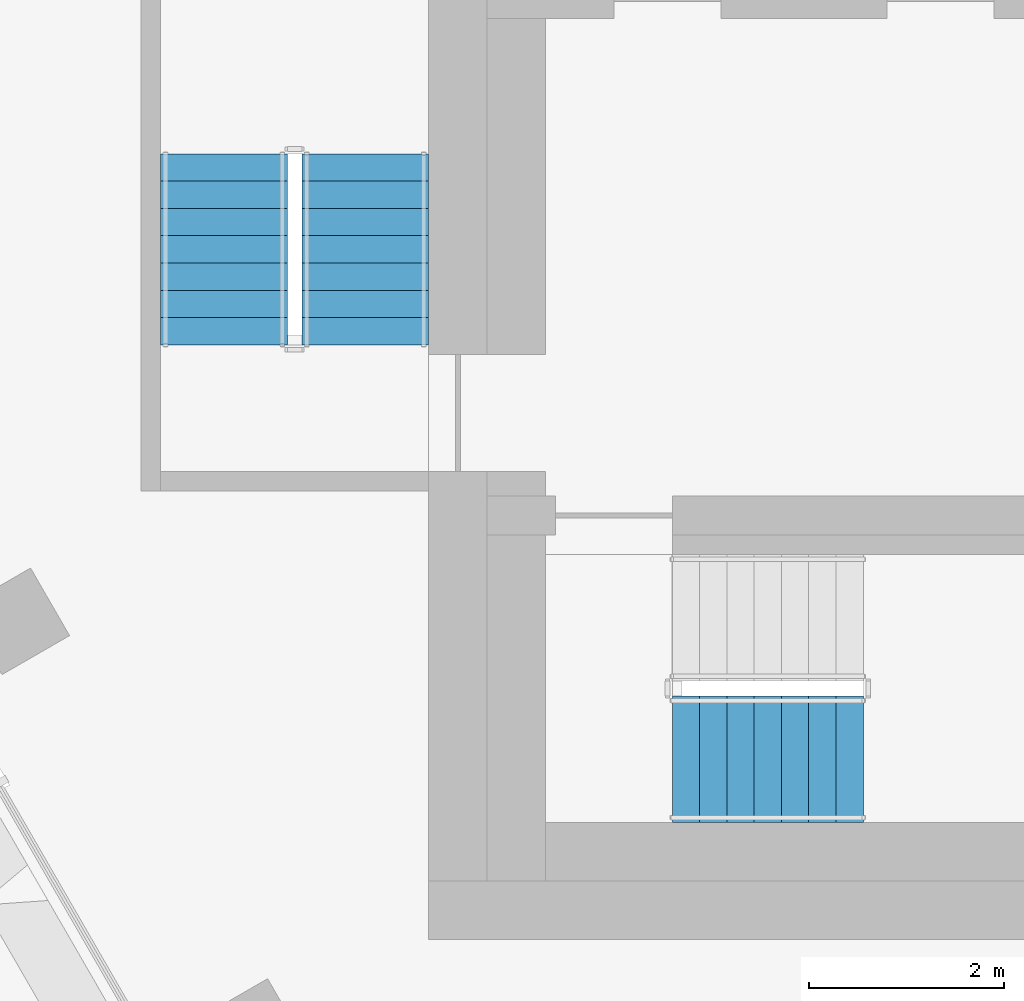
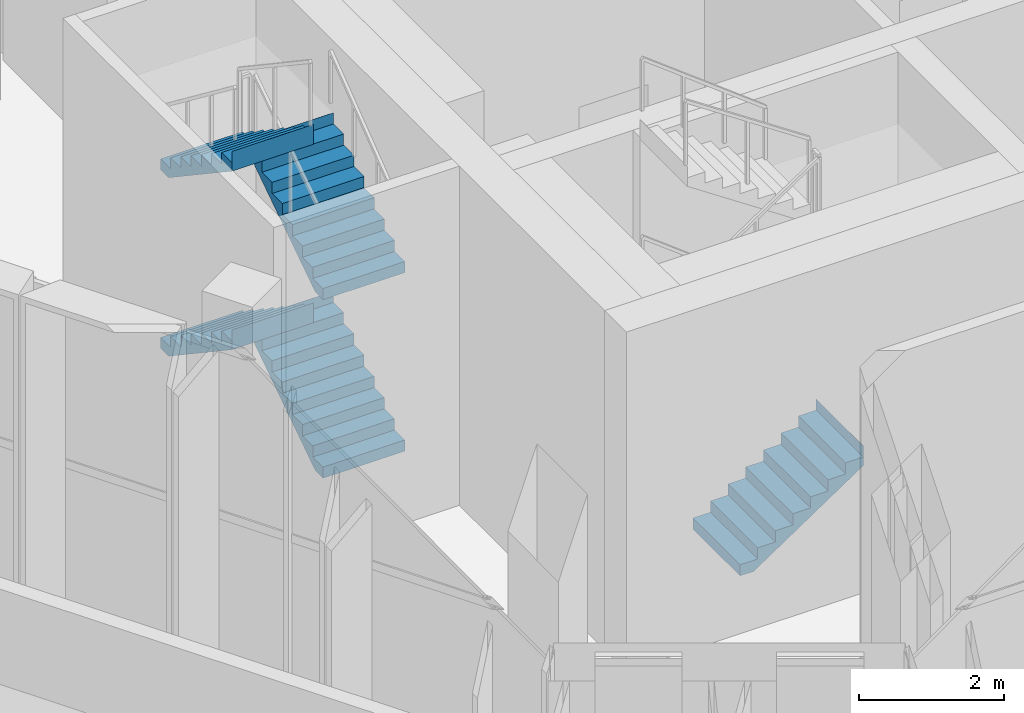
# One storey, part 15 of 23: 5 stair flights, 2 elements without a shape of their own.
"""IFC4 building model written with IfcOpenShell, lengths in metres."""

import ifcopenshell
import ifcopenshell.guid

model = None  # the IFC model being written
_history = None  # IfcOwnerHistory: only IFC2X3 demands one
_inside = {}  # id of a spatial element -> (the spatial element, [elements in it])
_under = {}  # id of a project, library or spatial element -> (it, [spatial elements below it])
_declared = {}  # id of a project -> (the project, [libraries it declares])
_typed = {}  # id of a type object -> (the type object, [elements of that type])
_made_of = {}  # id of a material, layer set ... -> (it, [elements and type objects made of it])


def new_model(schema):
    """Start an empty IFC model of exactly this schema.

    Asked for "IFC4X3", IfcOpenShell would pick the latest addendum, in which some entities
    have other attributes; the version numbers below select the first issue.
    IFC2X3 requires an IfcOwnerHistory on every rooted entity: one is made here for all.
    """
    global model, _history
    if schema == "IFC4X3":
        model = ifcopenshell.file(schema_version=(4, 3, 0, 0))
    else:
        model = ifcopenshell.file(schema=schema)
    _inside.clear()
    _under.clear()
    _declared.clear()
    _typed.clear()
    _made_of.clear()
    _history = None
    if model.schema == "IFC2X3":
        org = make("IfcOrganization", Name="unknown")
        user = make(
            "IfcPersonAndOrganization",
            ThePerson=make("IfcPerson", FamilyName="unknown"),
            TheOrganization=org,
        )
        app = make(
            "IfcApplication",
            ApplicationDeveloper=org,
            Version="unknown",
            ApplicationFullName="unknown",
            ApplicationIdentifier="unknown",
        )
        _history = make(
            "IfcOwnerHistory",
            OwningUser=user,
            OwningApplication=app,
            ChangeAction="ADDED",
            CreationDate=0,
        )
    return model


def make(cls, **values):
    """One entity of the class cls with the attributes given. An attribute that is None is left unset."""
    return model.create_entity(
        cls, **{name: value for name, value in values.items() if value is not None}
    )


def rooted(cls, **values):
    """An entity with a GlobalId (a new one), such as an element, a storey or a relation."""
    return make(cls, GlobalId=ifcopenshell.guid.new(), OwnerHistory=_history, **values)


def si_unit(unit_type, name, prefix=None):
    """IfcSIUnit, for example si_unit("LENGTHUNIT", "METRE", prefix="MILLI")."""
    return make("IfcSIUnit", UnitType=unit_type, Prefix=prefix, Name=name)


def assignment(units):
    """IfcUnitAssignment: the units of a project."""
    return None if units is None else make("IfcUnitAssignment", Units=units)


def point(xyz):
    """IfcCartesianPoint."""
    return None if xyz is None else make("IfcCartesianPoint", Coordinates=xyz)


def direction(xyz):
    """IfcDirection."""
    return None if xyz is None else make("IfcDirection", DirectionRatios=xyz)


def frame(location, z_axis=None, x_axis=None):
    """IfcAxis2Placement3D, a coordinate frame: its origin and axes. An axis left out is left unset."""
    return make(
        "IfcAxis2Placement3D",
        Location=point(location),
        Axis=direction(z_axis),
        RefDirection=direction(x_axis),
    )


def origin():
    """The frame at (0, 0, 0) with its axes left unset."""
    return frame((0.0, 0.0, 0.0))


def place(relative_to, where):
    """IfcLocalPlacement: puts the frame where relative to a parent placement (None: the world)."""
    return make(
        "IfcLocalPlacement", PlacementRelTo=relative_to, RelativePlacement=where
    )


def context(
    kind, dimensions, precision=None, world=None, true_north=None, identifier=None
):
    """IfcGeometricRepresentationContext, for example the 3D "Model" context."""
    return make(
        "IfcGeometricRepresentationContext",
        ContextIdentifier=identifier,
        ContextType=kind,
        CoordinateSpaceDimension=dimensions,
        Precision=precision,
        WorldCoordinateSystem=world,
        TrueNorth=true_north,
    )


def subcontext(parent, identifier, kind, view, scale=None):
    """IfcGeometricRepresentationSubContext, for example "Body" below "Model"."""
    return make(
        "IfcGeometricRepresentationSubContext",
        ContextIdentifier=identifier,
        ContextType=kind,
        ParentContext=parent,
        TargetScale=scale,
        TargetView=view,
    )


def project(units=None, contexts=None):
    """IfcProject with its units and contexts."""
    return rooted(
        "IfcProject",
        Name="project",
        RepresentationContexts=contexts,
        UnitsInContext=assignment(units),
    )


def spatial(cls, under=None, at=None, **own):
    """A site, building, storey or space (cls), placed at a placement, below another one or the project."""
    s = rooted(cls, ObjectPlacement=at, **own)
    if under is not None:
        _under.setdefault(under.id(), (under, []))[1].append(s)
    return s


def point_list(points):
    """IfcCartesianPointList2D or 3D."""
    cls = (
        "IfcCartesianPointList2D" if len(points[0]) == 2 else "IfcCartesianPointList3D"
    )
    return make(cls, CoordList=points)


def triangles(points, corners, closed=None, point_numbers=None):
    """IfcTriangulatedFaceSet: each triangle names its three corners, points numbered from 1."""
    return make(
        "IfcTriangulatedFaceSet",
        Coordinates=point_list(points),
        Closed=closed,
        CoordIndex=corners,
        PnIndex=point_numbers,
    )


def shape(context_of_items, identifier, shape_type, items):
    """IfcShapeRepresentation: the items that make up one representation, for example the "Body"."""
    return make(
        "IfcShapeRepresentation",
        ContextOfItems=context_of_items,
        RepresentationIdentifier=identifier,
        RepresentationType=shape_type,
        Items=items,
    )


def material(Name=None, Category=None):
    """IfcMaterial."""
    return make("IfcMaterial", Name=Name, Category=Category)


def made_of(thing, what):
    """Note that an element or type object is made of a material, layer set ...; save() writes the relation."""
    if what is not None:
        _made_of.setdefault(what.id(), (what, []))[1].append(thing)
    return thing


def type_object(cls, material=None, **own):
    """A type object (cls), such as IfcWallType, which elements share."""
    return made_of(rooted(cls, **own), material)


def element(
    cls,
    number,
    at=None,
    inside=None,
    cuts=None,
    type_object=None,
    material=None,
    context=None,
    identifier="Body",
    shape_type=None,
    held_by="IfcProductDefinitionShape",
    body=None,
    shapes=None,
    **own,
):
    """One element of the class cls, such as IfcWall. Its Tag is "e" and its number.

    at: its placement. inside: the storey or other place that contains it. cuts: it is an
    opening in that element (IfcRelVoidsElement). A single representation is given by context,
    identifier, shape_type and body (its items); several are given by shapes. held_by: the class
    of the entity that holds the representations. save() writes the other relations.
    """
    e = rooted(cls, Tag="e%d" % number, ObjectPlacement=at, **own)
    if body is not None:
        shapes = [shape(context, identifier, shape_type, body)]
    if shapes is not None:
        e.Representation = make(held_by, Representations=shapes)
    if inside is not None:
        _inside.setdefault(inside.id(), (inside, []))[1].append(e)
    if cuts is not None:
        rooted(
            "IfcRelVoidsElement", RelatingBuildingElement=cuts, RelatedOpeningElement=e
        )
    if type_object is not None:
        _typed.setdefault(type_object.id(), (type_object, []))[1].append(e)
    return made_of(e, material)


def aggregate(whole, parts):
    """IfcRelAggregates: a whole, such as a stair, and the parts it consists of."""
    return rooted("IfcRelAggregates", RelatingObject=whole, RelatedObjects=parts)


def save(model, path):
    """Write the relations noted so far, then the file.

    IfcRelAggregates (storeys below a building ...), IfcRelContainedInSpatialStructure (elements
    in a storey), IfcRelDefinesByType, IfcRelAssociatesMaterial and IfcRelDeclares: one each for
    every whole, place, type object, material and project.
    """
    for whole, parts in _under.values():
        aggregate(whole, parts)
    for where, things in _inside.values():
        rooted(
            "IfcRelContainedInSpatialStructure",
            RelatedElements=things,
            RelatingStructure=where,
        )
    for kind, things in _typed.values():
        rooted("IfcRelDefinesByType", RelatedObjects=things, RelatingType=kind)
    for what, things in _made_of.values():
        rooted("IfcRelAssociatesMaterial", RelatedObjects=things, RelatingMaterial=what)
    for by, libraries in _declared.values():
        rooted("IfcRelDeclares", RelatingContext=by, RelatedDefinitions=libraries)
    model.write(path)


model = new_model("IFC4")

# Units and contexts
model_context = context("Model", 3, precision=1e-05, world=origin(), true_north=direction((0.0, 1.0)))
body_context = subcontext(model_context, "Body", "Model", "MODEL_VIEW")
ifc_project = project(units=[si_unit("LENGTHUNIT", "METRE"), si_unit("AREAUNIT", "SQUARE_METRE"), si_unit("VOLUMEUNIT", "CUBIC_METRE"), si_unit("PLANEANGLEUNIT", "RADIAN"), si_unit("MASSUNIT", "GRAM", prefix="KILO")], contexts=[model_context])

# Site, building, storey
site_placement = place(None, origin())
site = spatial("IfcSite", under=ifc_project, at=site_placement, CompositionType="ELEMENT")
building_placement = place(site_placement, origin())
building = spatial("IfcBuilding", under=site, at=building_placement, Name="Beryl Residences", CompositionType="ELEMENT")
storey_placement = place(building_placement, frame((0.0, 0.0, 157.199951171875)))
storey = spatial("IfcBuildingStorey", under=building, at=storey_placement, Name="L48", CompositionType="ELEMENT", Elevation=157.199951171875)

# Stair, stair flight
ifc_material_1 = material(Name="Concrete C40/50", Category="concrete")
stair_type = type_object("IfcStairType", Name="ST1 protected exit stair, half-turn, 1300 mm flights", PredefinedType="HALF_TURN_STAIR", material=ifc_material_1)
stair_1_placement = place(storey_placement, origin())
stair_1 = element("IfcStair", 1, at=stair_1_placement, inside=storey, type_object=stair_type, Name="L48 PROTECTED EXIT STAIR ST-1", PredefinedType="HALF_TURN_STAIR")
ifc_material_2 = material(Name="Concrete C40/50", Category="concrete")
stair_flight_type = type_object("IfcStairFlightType", Name="SF1 stair flight 1300 mm", PredefinedType="STRAIGHT", material=ifc_material_2)
stair_flight_1_placement = place(storey_placement, frame((-10.800048828125, -17.14990234375, 0.0), z_axis=(0.0, 0.0, 1.0), x_axis=(1.0, 0.0, 0.0)))
stair_flight_1 = element("IfcStairFlight", 2, at=stair_flight_1_placement, type_object=stair_flight_type, Name="ST-1 flight 1", NumberOfRisers=8, NumberOfTreads=7, PredefinedType="STRAIGHT", RiserHeight=0.1875, TreadLength=0.28, context=body_context, shape_type="Tessellation", body=[
    triangles([(0.0, -0.64990234375, 0.0), (0.0, -0.324951171875, 0.0), (0.0, 0.0, 0.0), (0.0, 0.324951171875, 0.0), (0.0, 0.64990234375, 0.0), (0.0, -0.64990234375, 0.1875), (0.0, -0.324951171875, 0.1875), (0.0, 0.0, 0.1875), (0.0, 0.324951171875, 0.1875), (0.0, 0.64990234375, 0.1875), (0.280029296875, -0.64990234375, 0.1875), (0.280029296875, -0.324951171875, 0.1875), (0.280029296875, 0.0, 0.1875), (0.280029296875, 0.324951171875, 0.1875), (0.280029296875, 0.64990234375, 0.1875), (0.280029296875, -0.64990234375, 0.375), (0.280029296875, -0.324951171875, 0.375), (0.280029296875, 0.0, 0.375), (0.280029296875, 0.324951171875, 0.375), (0.280029296875, 0.64990234375, 0.375), (0.56005859375, -0.64990234375, 0.375), (0.56005859375, -0.324951171875, 0.375), (0.56005859375, 0.0, 0.375), (0.56005859375, 0.324951171875, 0.375), (0.56005859375, 0.64990234375, 0.375), (0.56005859375, -0.64990234375, 0.5625), (0.56005859375, -0.324951171875, 0.5625), (0.56005859375, 0.0, 0.5625), (0.56005859375, 0.324951171875, 0.5625), (0.56005859375, 0.64990234375, 0.5625), (0.840087890625, -0.64990234375, 0.5625), (0.840087890625, -0.324951171875, 0.5625), (0.840087890625, 0.0, 0.5625), (0.840087890625, 0.324951171875, 0.5625), (0.840087890625, 0.64990234375, 0.5625), (0.840087890625, -0.64990234375, 0.75), (0.840087890625, -0.324951171875, 0.75), (0.840087890625, 0.0, 0.75), (0.840087890625, 0.324951171875, 0.75), (0.840087890625, 0.64990234375, 0.75), (1.1201171875, -0.64990234375, 0.75), (1.1201171875, -0.324951171875, 0.75), (1.1201171875, 0.0, 0.75), (1.1201171875, 0.324951171875, 0.75), (1.1201171875, 0.64990234375, 0.75), (1.1201171875, -0.64990234375, 0.9375), (1.1201171875, -0.324951171875, 0.9375), (1.1201171875, 0.0, 0.9375), (1.1201171875, 0.324951171875, 0.9375), (1.1201171875, 0.64990234375, 0.9375), (1.39990234375, -0.64990234375, 0.9375), (1.39990234375, -0.324951171875, 0.9375), (1.39990234375, 0.0, 0.9375), (1.39990234375, 0.324951171875, 0.9375), (1.39990234375, 0.64990234375, 0.9375), (1.39990234375, -0.64990234375, 1.125), (1.39990234375, -0.324951171875, 1.125), (1.39990234375, 0.0, 1.125), (1.39990234375, 0.324951171875, 1.125), (1.39990234375, 0.64990234375, 1.125), (1.679931640625, -0.64990234375, 1.125), (1.679931640625, -0.324951171875, 1.125), (1.679931640625, 0.0, 1.125), (1.679931640625, 0.324951171875, 1.125), (1.679931640625, 0.64990234375, 1.125), (1.679931640625, -0.64990234375, 1.3125), (1.679931640625, -0.324951171875, 1.3125), (1.679931640625, 0.0, 1.3125), (1.679931640625, 0.324951171875, 1.3125), (1.679931640625, 0.64990234375, 1.3125), (1.9599609375, -0.64990234375, 1.3125), (1.9599609375, -0.324951171875, 1.3125), (1.9599609375, 0.0, 1.3125), (1.9599609375, 0.324951171875, 1.3125), (1.9599609375, 0.64990234375, 1.3125), (1.9599609375, -0.64990234375, 1.5), (1.9599609375, -0.324951171875, 1.5), (1.9599609375, 0.0, 1.5), (1.9599609375, 0.324951171875, 1.5), (1.9599609375, 0.64990234375, 1.5), (1.9609375, -0.64990234375, 1.5), (1.9609375, -0.324951171875, 1.5), (1.9609375, 0.0, 1.5), (1.9609375, 0.324951171875, 1.5), (1.9609375, 0.64990234375, 1.5), (1.9609375, -0.64990234375, 1.16796875), (1.9609375, -0.324951171875, 1.16796875), (1.9609375, 0.0, 1.16796875), (1.9609375, 0.324951171875, 1.16796875), (1.9609375, 0.64990234375, 1.16796875), (0.216796875, -0.64990234375, 0.0), (0.216796875, -0.324951171875, 0.0), (0.216796875, 0.0, 0.0), (0.216796875, 0.324951171875, 0.0), (0.216796875, 0.64990234375, 0.0)], [[1, 6, 7], [1, 7, 2], [2, 7, 8], [2, 8, 3], [3, 8, 9], [3, 9, 4], [4, 9, 10], [4, 10, 5], [6, 11, 12], [6, 12, 7], [7, 12, 13], [7, 13, 8], [8, 13, 14], [8, 14, 9], [9, 14, 15], [9, 15, 10], [11, 16, 17], [11, 17, 12], [12, 17, 18], [12, 18, 13], [13, 18, 19], [13, 19, 14], [14, 19, 20], [14, 20, 15], [16, 21, 22], [16, 22, 17], [17, 22, 23], [17, 23, 18], [18, 23, 24], [18, 24, 19], [19, 24, 25], [19, 25, 20], [21, 26, 27], [21, 27, 22], [22, 27, 28], [22, 28, 23], [23, 28, 29], [23, 29, 24], [24, 29, 30], [24, 30, 25], [26, 31, 32], [26, 32, 27], [27, 32, 33], [27, 33, 28], [28, 33, 34], [28, 34, 29], [29, 34, 35], [29, 35, 30], [31, 36, 37], [31, 37, 32], [32, 37, 38], [32, 38, 33], [33, 38, 39], [33, 39, 34], [34, 39, 40], [34, 40, 35], [36, 41, 42], [36, 42, 37], [37, 42, 43], [37, 43, 38], [38, 43, 44], [38, 44, 39], [39, 44, 45], [39, 45, 40], [41, 46, 47], [41, 47, 42], [42, 47, 48], [42, 48, 43], [43, 48, 49], [43, 49, 44], [44, 49, 50], [44, 50, 45], [46, 51, 52], [46, 52, 47], [47, 52, 53], [47, 53, 48], [48, 53, 54], [48, 54, 49], [49, 54, 55], [49, 55, 50], [51, 56, 57], [51, 57, 52], [52, 57, 58], [52, 58, 53], [53, 58, 59], [53, 59, 54], [54, 59, 60], [54, 60, 55], [56, 61, 62], [56, 62, 57], [57, 62, 63], [57, 63, 58], [58, 63, 64], [58, 64, 59], [59, 64, 65], [59, 65, 60], [61, 66, 67], [61, 67, 62], [62, 67, 68], [62, 68, 63], [63, 68, 69], [63, 69, 64], [64, 69, 70], [64, 70, 65], [66, 71, 72], [66, 72, 67], [67, 72, 73], [67, 73, 68], [68, 73, 74], [68, 74, 69], [69, 74, 75], [69, 75, 70], [71, 76, 77], [71, 77, 72], [72, 77, 78], [72, 78, 73], [73, 78, 79], [73, 79, 74], [74, 79, 80], [74, 80, 75], [76, 81, 82], [76, 82, 77], [77, 82, 83], [77, 83, 78], [78, 83, 84], [78, 84, 79], [79, 84, 85], [79, 85, 80], [81, 86, 87], [81, 87, 82], [82, 87, 88], [82, 88, 83], [83, 88, 89], [83, 89, 84], [84, 89, 90], [84, 90, 85], [86, 91, 92], [86, 92, 87], [87, 92, 93], [87, 93, 88], [88, 93, 94], [88, 94, 89], [89, 94, 95], [89, 95, 90], [91, 1, 2], [91, 2, 92], [92, 2, 3], [92, 3, 93], [93, 3, 4], [93, 4, 94], [94, 4, 5], [94, 5, 95], [1, 91, 86], [5, 90, 95], [86, 81, 76], [90, 80, 85], [86, 76, 71], [90, 75, 80], [86, 71, 66], [90, 70, 75], [86, 66, 61], [90, 65, 70], [61, 56, 51], [65, 55, 60], [86, 61, 51], [90, 55, 65], [51, 46, 41], [55, 45, 50], [86, 51, 41], [90, 45, 55], [41, 36, 31], [45, 35, 40], [86, 41, 31], [90, 35, 45], [31, 26, 21], [35, 25, 30], [86, 31, 21], [90, 25, 35], [21, 16, 11], [25, 15, 20], [86, 21, 11], [90, 15, 25], [1, 86, 11], [5, 15, 90], [11, 6, 1], [15, 5, 10]], closed=True),
])
aggregate(stair_1, [stair_flight_1])

# Stair, stair flights
stair_2_placement = place(storey_placement, origin())
stair_2 = element("IfcStair", 3, at=stair_2_placement, inside=storey, type_object=stair_type, Name="L48 PROTECTED EXIT STAIR ST-2", PredefinedType="HALF_TURN_STAIR")
stair_flight_2_placement = place(storey_placement, frame((-13.949951171875, -12.89990234375, 0.0), z_axis=(0.0, 0.0, 1.0), x_axis=(0.0, 1.0, 0.0)))
stair_flight_2 = element("IfcStairFlight", 4, at=stair_flight_2_placement, type_object=stair_flight_type, Name="ST-2 flight 1", NumberOfRisers=8, NumberOfTreads=7, PredefinedType="STRAIGHT", RiserHeight=0.1875, TreadLength=0.28, context=body_context, shape_type="Tessellation", body=[
    triangles([(0.0, -0.64990234375, 0.0), (0.0, -0.324951171875, 0.0), (0.0, 0.0, 0.0), (0.0, 0.324951171875, 0.0), (0.0, 0.64990234375, 0.0), (0.0, -0.64990234375, 0.1875), (0.0, -0.324951171875, 0.1875), (0.0, 0.0, 0.1875), (0.0, 0.324951171875, 0.1875), (0.0, 0.64990234375, 0.1875), (0.280029296875, -0.64990234375, 0.1875), (0.280029296875, -0.324951171875, 0.1875), (0.280029296875, 0.0, 0.1875), (0.280029296875, 0.324951171875, 0.1875), (0.280029296875, 0.64990234375, 0.1875), (0.280029296875, -0.64990234375, 0.375), (0.280029296875, -0.324951171875, 0.375), (0.280029296875, 0.0, 0.375), (0.280029296875, 0.324951171875, 0.375), (0.280029296875, 0.64990234375, 0.375), (0.56005859375, -0.64990234375, 0.375), (0.56005859375, -0.324951171875, 0.375), (0.56005859375, 0.0, 0.375), (0.56005859375, 0.324951171875, 0.375), (0.56005859375, 0.64990234375, 0.375), (0.56005859375, -0.64990234375, 0.5625), (0.56005859375, -0.324951171875, 0.5625), (0.56005859375, 0.0, 0.5625), (0.56005859375, 0.324951171875, 0.5625), (0.56005859375, 0.64990234375, 0.5625), (0.840087890625, -0.64990234375, 0.5625), (0.840087890625, -0.324951171875, 0.5625), (0.840087890625, 0.0, 0.5625), (0.840087890625, 0.324951171875, 0.5625), (0.840087890625, 0.64990234375, 0.5625), (0.840087890625, -0.64990234375, 0.75), (0.840087890625, -0.324951171875, 0.75), (0.840087890625, 0.0, 0.75), (0.840087890625, 0.324951171875, 0.75), (0.840087890625, 0.64990234375, 0.75), (1.1201171875, -0.64990234375, 0.75), (1.1201171875, -0.324951171875, 0.75), (1.1201171875, 0.0, 0.75), (1.1201171875, 0.324951171875, 0.75), (1.1201171875, 0.64990234375, 0.75), (1.1201171875, -0.64990234375, 0.9375), (1.1201171875, -0.324951171875, 0.9375), (1.1201171875, 0.0, 0.9375), (1.1201171875, 0.324951171875, 0.9375), (1.1201171875, 0.64990234375, 0.9375), (1.39990234375, -0.64990234375, 0.9375), (1.39990234375, -0.324951171875, 0.9375), (1.39990234375, 0.0, 0.9375), (1.39990234375, 0.324951171875, 0.9375), (1.39990234375, 0.64990234375, 0.9375), (1.39990234375, -0.64990234375, 1.125), (1.39990234375, -0.324951171875, 1.125), (1.39990234375, 0.0, 1.125), (1.39990234375, 0.324951171875, 1.125), (1.39990234375, 0.64990234375, 1.125), (1.679931640625, -0.64990234375, 1.125), (1.679931640625, -0.324951171875, 1.125), (1.679931640625, 0.0, 1.125), (1.679931640625, 0.324951171875, 1.125), (1.679931640625, 0.64990234375, 1.125), (1.679931640625, -0.64990234375, 1.3125), (1.679931640625, -0.324951171875, 1.3125), (1.679931640625, 0.0, 1.3125), (1.679931640625, 0.324951171875, 1.3125), (1.679931640625, 0.64990234375, 1.3125), (1.9599609375, -0.64990234375, 1.3125), (1.9599609375, -0.324951171875, 1.3125), (1.9599609375, 0.0, 1.3125), (1.9599609375, 0.324951171875, 1.3125), (1.9599609375, 0.64990234375, 1.3125), (1.9599609375, -0.64990234375, 1.5), (1.9599609375, -0.324951171875, 1.5), (1.9599609375, 0.0, 1.5), (1.9599609375, 0.324951171875, 1.5), (1.9599609375, 0.64990234375, 1.5), (1.9609375, -0.64990234375, 1.5), (1.9609375, -0.324951171875, 1.5), (1.9609375, 0.0, 1.5), (1.9609375, 0.324951171875, 1.5), (1.9609375, 0.64990234375, 1.5), (1.9609375, -0.64990234375, 1.16796875), (1.9609375, -0.324951171875, 1.16796875), (1.9609375, 0.0, 1.16796875), (1.9609375, 0.324951171875, 1.16796875), (1.9609375, 0.64990234375, 1.16796875), (0.216796875, -0.64990234375, 0.0), (0.216796875, -0.324951171875, 0.0), (0.216796875, 0.0, 0.0), (0.216796875, 0.324951171875, 0.0), (0.216796875, 0.64990234375, 0.0)], [[1, 6, 7], [1, 7, 2], [2, 7, 8], [2, 8, 3], [3, 8, 9], [3, 9, 4], [4, 9, 10], [4, 10, 5], [6, 11, 12], [6, 12, 7], [7, 12, 13], [7, 13, 8], [8, 13, 14], [8, 14, 9], [9, 14, 15], [9, 15, 10], [11, 16, 17], [11, 17, 12], [12, 17, 18], [12, 18, 13], [13, 18, 19], [13, 19, 14], [14, 19, 20], [14, 20, 15], [16, 21, 22], [16, 22, 17], [17, 22, 23], [17, 23, 18], [18, 23, 24], [18, 24, 19], [19, 24, 25], [19, 25, 20], [21, 26, 27], [21, 27, 22], [22, 27, 28], [22, 28, 23], [23, 28, 29], [23, 29, 24], [24, 29, 30], [24, 30, 25], [26, 31, 32], [26, 32, 27], [27, 32, 33], [27, 33, 28], [28, 33, 34], [28, 34, 29], [29, 34, 35], [29, 35, 30], [31, 36, 37], [31, 37, 32], [32, 37, 38], [32, 38, 33], [33, 38, 39], [33, 39, 34], [34, 39, 40], [34, 40, 35], [36, 41, 42], [36, 42, 37], [37, 42, 43], [37, 43, 38], [38, 43, 44], [38, 44, 39], [39, 44, 45], [39, 45, 40], [41, 46, 47], [41, 47, 42], [42, 47, 48], [42, 48, 43], [43, 48, 49], [43, 49, 44], [44, 49, 50], [44, 50, 45], [46, 51, 52], [46, 52, 47], [47, 52, 53], [47, 53, 48], [48, 53, 54], [48, 54, 49], [49, 54, 55], [49, 55, 50], [51, 56, 57], [51, 57, 52], [52, 57, 58], [52, 58, 53], [53, 58, 59], [53, 59, 54], [54, 59, 60], [54, 60, 55], [56, 61, 62], [56, 62, 57], [57, 62, 63], [57, 63, 58], [58, 63, 64], [58, 64, 59], [59, 64, 65], [59, 65, 60], [61, 66, 67], [61, 67, 62], [62, 67, 68], [62, 68, 63], [63, 68, 69], [63, 69, 64], [64, 69, 70], [64, 70, 65], [66, 71, 72], [66, 72, 67], [67, 72, 73], [67, 73, 68], [68, 73, 74], [68, 74, 69], [69, 74, 75], [69, 75, 70], [71, 76, 77], [71, 77, 72], [72, 77, 78], [72, 78, 73], [73, 78, 79], [73, 79, 74], [74, 79, 80], [74, 80, 75], [76, 81, 82], [76, 82, 77], [77, 82, 83], [77, 83, 78], [78, 83, 84], [78, 84, 79], [79, 84, 85], [79, 85, 80], [81, 86, 87], [81, 87, 82], [82, 87, 88], [82, 88, 83], [83, 88, 89], [83, 89, 84], [84, 89, 90], [84, 90, 85], [86, 91, 92], [86, 92, 87], [87, 92, 93], [87, 93, 88], [88, 93, 94], [88, 94, 89], [89, 94, 95], [89, 95, 90], [91, 1, 2], [91, 2, 92], [92, 2, 3], [92, 3, 93], [93, 3, 4], [93, 4, 94], [94, 4, 5], [94, 5, 95], [1, 91, 86], [5, 90, 95], [86, 81, 76], [90, 80, 85], [86, 76, 71], [90, 75, 80], [86, 71, 66], [90, 70, 75], [86, 66, 61], [90, 65, 70], [61, 56, 51], [65, 55, 60], [86, 61, 51], [90, 55, 65], [51, 46, 41], [55, 45, 50], [86, 51, 41], [90, 45, 55], [41, 36, 31], [45, 35, 40], [86, 41, 31], [90, 35, 45], [31, 26, 21], [35, 25, 30], [86, 31, 21], [90, 25, 35], [21, 16, 11], [25, 15, 20], [86, 21, 11], [90, 15, 25], [1, 86, 11], [5, 15, 90], [11, 6, 1], [15, 5, 10]], closed=True),
])
stair_flight_3_placement = place(storey_placement, frame((-15.39990234375, -10.93994140625, 1.5), z_axis=(0.0, 0.0, 1.0), x_axis=(0.0, -1.0, 0.0)))
stair_flight_3 = element("IfcStairFlight", 5, at=stair_flight_3_placement, type_object=stair_flight_type, Name="ST-2 flight 2", NumberOfRisers=8, NumberOfTreads=7, PredefinedType="STRAIGHT", RiserHeight=0.1875, TreadLength=0.28, context=body_context, shape_type="Tessellation", body=[
    triangles([(0.0, -0.64990234375, 0.0), (0.0, -0.324951171875, 0.0), (0.0, 0.0, 0.0), (0.0, 0.324951171875, 0.0), (0.0, 0.64990234375, 0.0), (0.0, -0.64990234375, 0.1875), (0.0, -0.324951171875, 0.1875), (0.0, 0.0, 0.1875), (0.0, 0.324951171875, 0.1875), (0.0, 0.64990234375, 0.1875), (0.280029296875, -0.64990234375, 0.1875), (0.280029296875, -0.324951171875, 0.1875), (0.280029296875, 0.0, 0.1875), (0.280029296875, 0.324951171875, 0.1875), (0.280029296875, 0.64990234375, 0.1875), (0.280029296875, -0.64990234375, 0.375), (0.280029296875, -0.324951171875, 0.375), (0.280029296875, 0.0, 0.375), (0.280029296875, 0.324951171875, 0.375), (0.280029296875, 0.64990234375, 0.375), (0.56005859375, -0.64990234375, 0.375), (0.56005859375, -0.324951171875, 0.375), (0.56005859375, 0.0, 0.375), (0.56005859375, 0.324951171875, 0.375), (0.56005859375, 0.64990234375, 0.375), (0.56005859375, -0.64990234375, 0.5625), (0.56005859375, -0.324951171875, 0.5625), (0.56005859375, 0.0, 0.5625), (0.56005859375, 0.324951171875, 0.5625), (0.56005859375, 0.64990234375, 0.5625), (0.840087890625, -0.64990234375, 0.5625), (0.840087890625, -0.324951171875, 0.5625), (0.840087890625, 0.0, 0.5625), (0.840087890625, 0.324951171875, 0.5625), (0.840087890625, 0.64990234375, 0.5625), (0.840087890625, -0.64990234375, 0.75), (0.840087890625, -0.324951171875, 0.75), (0.840087890625, 0.0, 0.75), (0.840087890625, 0.324951171875, 0.75), (0.840087890625, 0.64990234375, 0.75), (1.1201171875, -0.64990234375, 0.75), (1.1201171875, -0.324951171875, 0.75), (1.1201171875, 0.0, 0.75), (1.1201171875, 0.324951171875, 0.75), (1.1201171875, 0.64990234375, 0.75), (1.1201171875, -0.64990234375, 0.9375), (1.1201171875, -0.324951171875, 0.9375), (1.1201171875, 0.0, 0.9375), (1.1201171875, 0.324951171875, 0.9375), (1.1201171875, 0.64990234375, 0.9375), (1.39990234375, -0.64990234375, 0.9375), (1.39990234375, -0.324951171875, 0.9375), (1.39990234375, 0.0, 0.9375), (1.39990234375, 0.324951171875, 0.9375), (1.39990234375, 0.64990234375, 0.9375), (1.39990234375, -0.64990234375, 1.125), (1.39990234375, -0.324951171875, 1.125), (1.39990234375, 0.0, 1.125), (1.39990234375, 0.324951171875, 1.125), (1.39990234375, 0.64990234375, 1.125), (1.679931640625, -0.64990234375, 1.125), (1.679931640625, -0.324951171875, 1.125), (1.679931640625, 0.0, 1.125), (1.679931640625, 0.324951171875, 1.125), (1.679931640625, 0.64990234375, 1.125), (1.679931640625, -0.64990234375, 1.3125), (1.679931640625, -0.324951171875, 1.3125), (1.679931640625, 0.0, 1.3125), (1.679931640625, 0.324951171875, 1.3125), (1.679931640625, 0.64990234375, 1.3125), (1.9599609375, -0.64990234375, 1.3125), (1.9599609375, -0.324951171875, 1.3125), (1.9599609375, 0.0, 1.3125), (1.9599609375, 0.324951171875, 1.3125), (1.9599609375, 0.64990234375, 1.3125), (1.9599609375, -0.64990234375, 1.5), (1.9599609375, -0.324951171875, 1.5), (1.9599609375, 0.0, 1.5), (1.9599609375, 0.324951171875, 1.5), (1.9599609375, 0.64990234375, 1.5), (1.9609375, -0.64990234375, 1.5), (1.9609375, -0.324951171875, 1.5), (1.9609375, 0.0, 1.5), (1.9609375, 0.324951171875, 1.5), (1.9609375, 0.64990234375, 1.5), (1.9609375, -0.64990234375, 1.16796875), (1.9609375, -0.324951171875, 1.16796875), (1.9609375, 0.0, 1.16796875), (1.9609375, 0.324951171875, 1.16796875), (1.9609375, 0.64990234375, 1.16796875), (0.216796875, -0.64990234375, 0.0), (0.216796875, -0.324951171875, 0.0), (0.216796875, 0.0, 0.0), (0.216796875, 0.324951171875, 0.0), (0.216796875, 0.64990234375, 0.0)], [[1, 6, 7], [1, 7, 2], [2, 7, 8], [2, 8, 3], [3, 8, 9], [3, 9, 4], [4, 9, 10], [4, 10, 5], [6, 11, 12], [6, 12, 7], [7, 12, 13], [7, 13, 8], [8, 13, 14], [8, 14, 9], [9, 14, 15], [9, 15, 10], [11, 16, 17], [11, 17, 12], [12, 17, 18], [12, 18, 13], [13, 18, 19], [13, 19, 14], [14, 19, 20], [14, 20, 15], [16, 21, 22], [16, 22, 17], [17, 22, 23], [17, 23, 18], [18, 23, 24], [18, 24, 19], [19, 24, 25], [19, 25, 20], [21, 26, 27], [21, 27, 22], [22, 27, 28], [22, 28, 23], [23, 28, 29], [23, 29, 24], [24, 29, 30], [24, 30, 25], [26, 31, 32], [26, 32, 27], [27, 32, 33], [27, 33, 28], [28, 33, 34], [28, 34, 29], [29, 34, 35], [29, 35, 30], [31, 36, 37], [31, 37, 32], [32, 37, 38], [32, 38, 33], [33, 38, 39], [33, 39, 34], [34, 39, 40], [34, 40, 35], [36, 41, 42], [36, 42, 37], [37, 42, 43], [37, 43, 38], [38, 43, 44], [38, 44, 39], [39, 44, 45], [39, 45, 40], [41, 46, 47], [41, 47, 42], [42, 47, 48], [42, 48, 43], [43, 48, 49], [43, 49, 44], [44, 49, 50], [44, 50, 45], [46, 51, 52], [46, 52, 47], [47, 52, 53], [47, 53, 48], [48, 53, 54], [48, 54, 49], [49, 54, 55], [49, 55, 50], [51, 56, 57], [51, 57, 52], [52, 57, 58], [52, 58, 53], [53, 58, 59], [53, 59, 54], [54, 59, 60], [54, 60, 55], [56, 61, 62], [56, 62, 57], [57, 62, 63], [57, 63, 58], [58, 63, 64], [58, 64, 59], [59, 64, 65], [59, 65, 60], [61, 66, 67], [61, 67, 62], [62, 67, 68], [62, 68, 63], [63, 68, 69], [63, 69, 64], [64, 69, 70], [64, 70, 65], [66, 71, 72], [66, 72, 67], [67, 72, 73], [67, 73, 68], [68, 73, 74], [68, 74, 69], [69, 74, 75], [69, 75, 70], [71, 76, 77], [71, 77, 72], [72, 77, 78], [72, 78, 73], [73, 78, 79], [73, 79, 74], [74, 79, 80], [74, 80, 75], [76, 81, 82], [76, 82, 77], [77, 82, 83], [77, 83, 78], [78, 83, 84], [78, 84, 79], [79, 84, 85], [79, 85, 80], [81, 86, 87], [81, 87, 82], [82, 87, 88], [82, 88, 83], [83, 88, 89], [83, 89, 84], [84, 89, 90], [84, 90, 85], [86, 91, 92], [86, 92, 87], [87, 92, 93], [87, 93, 88], [88, 93, 94], [88, 94, 89], [89, 94, 95], [89, 95, 90], [91, 1, 2], [91, 2, 92], [92, 2, 3], [92, 3, 93], [93, 3, 4], [93, 4, 94], [94, 4, 5], [94, 5, 95], [1, 91, 86], [5, 90, 95], [86, 81, 76], [90, 80, 85], [86, 76, 71], [90, 75, 80], [86, 71, 66], [90, 70, 75], [86, 66, 61], [90, 65, 70], [61, 56, 51], [65, 55, 60], [86, 61, 51], [90, 55, 65], [51, 46, 41], [55, 45, 50], [86, 51, 41], [90, 45, 55], [41, 36, 31], [45, 35, 40], [86, 41, 31], [90, 35, 45], [31, 26, 21], [35, 25, 30], [86, 31, 21], [90, 25, 35], [21, 16, 11], [25, 15, 20], [86, 21, 11], [90, 15, 25], [1, 86, 11], [5, 15, 90], [11, 6, 1], [15, 5, 10]], closed=True),
])
stair_flight_4_placement = place(storey_placement, frame((-13.949951171875, -12.89990234375, 3.0), z_axis=(0.0, 0.0, 1.0), x_axis=(0.0, 1.0, 0.0)))
stair_flight_4 = element("IfcStairFlight", 6, at=stair_flight_4_placement, type_object=stair_flight_type, Name="ST-2 flight 3", NumberOfRisers=8, NumberOfTreads=7, PredefinedType="STRAIGHT", RiserHeight=0.1875, TreadLength=0.28, context=body_context, shape_type="Tessellation", body=[
    triangles([(0.0, -0.64990234375, 0.0), (0.0, -0.324951171875, 0.0), (0.0, 0.0, 0.0), (0.0, 0.324951171875, 0.0), (0.0, 0.64990234375, 0.0), (0.0, -0.64990234375, 0.1875), (0.0, -0.324951171875, 0.1875), (0.0, 0.0, 0.1875), (0.0, 0.324951171875, 0.1875), (0.0, 0.64990234375, 0.1875), (0.280029296875, -0.64990234375, 0.1875), (0.280029296875, -0.324951171875, 0.1875), (0.280029296875, 0.0, 0.1875), (0.280029296875, 0.324951171875, 0.1875), (0.280029296875, 0.64990234375, 0.1875), (0.280029296875, -0.64990234375, 0.375), (0.280029296875, -0.324951171875, 0.375), (0.280029296875, 0.0, 0.375), (0.280029296875, 0.324951171875, 0.375), (0.280029296875, 0.64990234375, 0.375), (0.56005859375, -0.64990234375, 0.375), (0.56005859375, -0.324951171875, 0.375), (0.56005859375, 0.0, 0.375), (0.56005859375, 0.324951171875, 0.375), (0.56005859375, 0.64990234375, 0.375), (0.56005859375, -0.64990234375, 0.5625), (0.56005859375, -0.324951171875, 0.5625), (0.56005859375, 0.0, 0.5625), (0.56005859375, 0.324951171875, 0.5625), (0.56005859375, 0.64990234375, 0.5625), (0.840087890625, -0.64990234375, 0.5625), (0.840087890625, -0.324951171875, 0.5625), (0.840087890625, 0.0, 0.5625), (0.840087890625, 0.324951171875, 0.5625), (0.840087890625, 0.64990234375, 0.5625), (0.840087890625, -0.64990234375, 0.75), (0.840087890625, -0.324951171875, 0.75), (0.840087890625, 0.0, 0.75), (0.840087890625, 0.324951171875, 0.75), (0.840087890625, 0.64990234375, 0.75), (1.1201171875, -0.64990234375, 0.75), (1.1201171875, -0.324951171875, 0.75), (1.1201171875, 0.0, 0.75), (1.1201171875, 0.324951171875, 0.75), (1.1201171875, 0.64990234375, 0.75), (1.1201171875, -0.64990234375, 0.9375), (1.1201171875, -0.324951171875, 0.9375), (1.1201171875, 0.0, 0.9375), (1.1201171875, 0.324951171875, 0.9375), (1.1201171875, 0.64990234375, 0.9375), (1.39990234375, -0.64990234375, 0.9375), (1.39990234375, -0.324951171875, 0.9375), (1.39990234375, 0.0, 0.9375), (1.39990234375, 0.324951171875, 0.9375), (1.39990234375, 0.64990234375, 0.9375), (1.39990234375, -0.64990234375, 1.125), (1.39990234375, -0.324951171875, 1.125), (1.39990234375, 0.0, 1.125), (1.39990234375, 0.324951171875, 1.125), (1.39990234375, 0.64990234375, 1.125), (1.679931640625, -0.64990234375, 1.125), (1.679931640625, -0.324951171875, 1.125), (1.679931640625, 0.0, 1.125), (1.679931640625, 0.324951171875, 1.125), (1.679931640625, 0.64990234375, 1.125), (1.679931640625, -0.64990234375, 1.3125), (1.679931640625, -0.324951171875, 1.3125), (1.679931640625, 0.0, 1.3125), (1.679931640625, 0.324951171875, 1.3125), (1.679931640625, 0.64990234375, 1.3125), (1.9599609375, -0.64990234375, 1.3125), (1.9599609375, -0.324951171875, 1.3125), (1.9599609375, 0.0, 1.3125), (1.9599609375, 0.324951171875, 1.3125), (1.9599609375, 0.64990234375, 1.3125), (1.9599609375, -0.64990234375, 1.5), (1.9599609375, -0.324951171875, 1.5), (1.9599609375, 0.0, 1.5), (1.9599609375, 0.324951171875, 1.5), (1.9599609375, 0.64990234375, 1.5), (1.9609375, -0.64990234375, 1.5), (1.9609375, -0.324951171875, 1.5), (1.9609375, 0.0, 1.5), (1.9609375, 0.324951171875, 1.5), (1.9609375, 0.64990234375, 1.5), (1.9609375, -0.64990234375, 1.16796875), (1.9609375, -0.324951171875, 1.16796875), (1.9609375, 0.0, 1.16796875), (1.9609375, 0.324951171875, 1.16796875), (1.9609375, 0.64990234375, 1.16796875), (0.216796875, -0.64990234375, 0.0), (0.216796875, -0.324951171875, 0.0), (0.216796875, 0.0, 0.0), (0.216796875, 0.324951171875, 0.0), (0.216796875, 0.64990234375, 0.0)], [[1, 6, 7], [1, 7, 2], [2, 7, 8], [2, 8, 3], [3, 8, 9], [3, 9, 4], [4, 9, 10], [4, 10, 5], [6, 11, 12], [6, 12, 7], [7, 12, 13], [7, 13, 8], [8, 13, 14], [8, 14, 9], [9, 14, 15], [9, 15, 10], [11, 16, 17], [11, 17, 12], [12, 17, 18], [12, 18, 13], [13, 18, 19], [13, 19, 14], [14, 19, 20], [14, 20, 15], [16, 21, 22], [16, 22, 17], [17, 22, 23], [17, 23, 18], [18, 23, 24], [18, 24, 19], [19, 24, 25], [19, 25, 20], [21, 26, 27], [21, 27, 22], [22, 27, 28], [22, 28, 23], [23, 28, 29], [23, 29, 24], [24, 29, 30], [24, 30, 25], [26, 31, 32], [26, 32, 27], [27, 32, 33], [27, 33, 28], [28, 33, 34], [28, 34, 29], [29, 34, 35], [29, 35, 30], [31, 36, 37], [31, 37, 32], [32, 37, 38], [32, 38, 33], [33, 38, 39], [33, 39, 34], [34, 39, 40], [34, 40, 35], [36, 41, 42], [36, 42, 37], [37, 42, 43], [37, 43, 38], [38, 43, 44], [38, 44, 39], [39, 44, 45], [39, 45, 40], [41, 46, 47], [41, 47, 42], [42, 47, 48], [42, 48, 43], [43, 48, 49], [43, 49, 44], [44, 49, 50], [44, 50, 45], [46, 51, 52], [46, 52, 47], [47, 52, 53], [47, 53, 48], [48, 53, 54], [48, 54, 49], [49, 54, 55], [49, 55, 50], [51, 56, 57], [51, 57, 52], [52, 57, 58], [52, 58, 53], [53, 58, 59], [53, 59, 54], [54, 59, 60], [54, 60, 55], [56, 61, 62], [56, 62, 57], [57, 62, 63], [57, 63, 58], [58, 63, 64], [58, 64, 59], [59, 64, 65], [59, 65, 60], [61, 66, 67], [61, 67, 62], [62, 67, 68], [62, 68, 63], [63, 68, 69], [63, 69, 64], [64, 69, 70], [64, 70, 65], [66, 71, 72], [66, 72, 67], [67, 72, 73], [67, 73, 68], [68, 73, 74], [68, 74, 69], [69, 74, 75], [69, 75, 70], [71, 76, 77], [71, 77, 72], [72, 77, 78], [72, 78, 73], [73, 78, 79], [73, 79, 74], [74, 79, 80], [74, 80, 75], [76, 81, 82], [76, 82, 77], [77, 82, 83], [77, 83, 78], [78, 83, 84], [78, 84, 79], [79, 84, 85], [79, 85, 80], [81, 86, 87], [81, 87, 82], [82, 87, 88], [82, 88, 83], [83, 88, 89], [83, 89, 84], [84, 89, 90], [84, 90, 85], [86, 91, 92], [86, 92, 87], [87, 92, 93], [87, 93, 88], [88, 93, 94], [88, 94, 89], [89, 94, 95], [89, 95, 90], [91, 1, 2], [91, 2, 92], [92, 2, 3], [92, 3, 93], [93, 3, 4], [93, 4, 94], [94, 4, 5], [94, 5, 95], [1, 91, 86], [5, 90, 95], [86, 81, 76], [90, 80, 85], [86, 76, 71], [90, 75, 80], [86, 71, 66], [90, 70, 75], [86, 66, 61], [90, 65, 70], [61, 56, 51], [65, 55, 60], [86, 61, 51], [90, 55, 65], [51, 46, 41], [55, 45, 50], [86, 51, 41], [90, 45, 55], [41, 36, 31], [45, 35, 40], [86, 41, 31], [90, 35, 45], [31, 26, 21], [35, 25, 30], [86, 31, 21], [90, 25, 35], [21, 16, 11], [25, 15, 20], [86, 21, 11], [90, 15, 25], [1, 86, 11], [5, 15, 90], [11, 6, 1], [15, 5, 10]], closed=True),
])
stair_flight_5_placement = place(storey_placement, frame((-15.39990234375, -10.93994140625, 4.5), z_axis=(0.0, 0.0, 1.0), x_axis=(0.0, -1.0, 0.0)))
stair_flight_5 = element("IfcStairFlight", 7, at=stair_flight_5_placement, type_object=stair_flight_type, Name="ST-2 flight 4", NumberOfRisers=8, NumberOfTreads=7, PredefinedType="STRAIGHT", RiserHeight=0.1875, TreadLength=0.28, context=body_context, shape_type="Tessellation", body=[
    triangles([(0.0, -0.64990234375, 0.0), (0.0, -0.324951171875, 0.0), (0.0, 0.0, 0.0), (0.0, 0.324951171875, 0.0), (0.0, 0.64990234375, 0.0), (0.0, -0.64990234375, 0.1875), (0.0, -0.324951171875, 0.1875), (0.0, 0.0, 0.1875), (0.0, 0.324951171875, 0.1875), (0.0, 0.64990234375, 0.1875), (0.280029296875, -0.64990234375, 0.1875), (0.280029296875, -0.324951171875, 0.1875), (0.280029296875, 0.0, 0.1875), (0.280029296875, 0.324951171875, 0.1875), (0.280029296875, 0.64990234375, 0.1875), (0.280029296875, -0.64990234375, 0.375), (0.280029296875, -0.324951171875, 0.375), (0.280029296875, 0.0, 0.375), (0.280029296875, 0.324951171875, 0.375), (0.280029296875, 0.64990234375, 0.375), (0.56005859375, -0.64990234375, 0.375), (0.56005859375, -0.324951171875, 0.375), (0.56005859375, 0.0, 0.375), (0.56005859375, 0.324951171875, 0.375), (0.56005859375, 0.64990234375, 0.375), (0.56005859375, -0.64990234375, 0.5625), (0.56005859375, -0.324951171875, 0.5625), (0.56005859375, 0.0, 0.5625), (0.56005859375, 0.324951171875, 0.5625), (0.56005859375, 0.64990234375, 0.5625), (0.840087890625, -0.64990234375, 0.5625), (0.840087890625, -0.324951171875, 0.5625), (0.840087890625, 0.0, 0.5625), (0.840087890625, 0.324951171875, 0.5625), (0.840087890625, 0.64990234375, 0.5625), (0.840087890625, -0.64990234375, 0.75), (0.840087890625, -0.324951171875, 0.75), (0.840087890625, 0.0, 0.75), (0.840087890625, 0.324951171875, 0.75), (0.840087890625, 0.64990234375, 0.75), (1.1201171875, -0.64990234375, 0.75), (1.1201171875, -0.324951171875, 0.75), (1.1201171875, 0.0, 0.75), (1.1201171875, 0.324951171875, 0.75), (1.1201171875, 0.64990234375, 0.75), (1.1201171875, -0.64990234375, 0.9375), (1.1201171875, -0.324951171875, 0.9375), (1.1201171875, 0.0, 0.9375), (1.1201171875, 0.324951171875, 0.9375), (1.1201171875, 0.64990234375, 0.9375), (1.39990234375, -0.64990234375, 0.9375), (1.39990234375, -0.324951171875, 0.9375), (1.39990234375, 0.0, 0.9375), (1.39990234375, 0.324951171875, 0.9375), (1.39990234375, 0.64990234375, 0.9375), (1.39990234375, -0.64990234375, 1.125), (1.39990234375, -0.324951171875, 1.125), (1.39990234375, 0.0, 1.125), (1.39990234375, 0.324951171875, 1.125), (1.39990234375, 0.64990234375, 1.125), (1.679931640625, -0.64990234375, 1.125), (1.679931640625, -0.324951171875, 1.125), (1.679931640625, 0.0, 1.125), (1.679931640625, 0.324951171875, 1.125), (1.679931640625, 0.64990234375, 1.125), (1.679931640625, -0.64990234375, 1.3125), (1.679931640625, -0.324951171875, 1.3125), (1.679931640625, 0.0, 1.3125), (1.679931640625, 0.324951171875, 1.3125), (1.679931640625, 0.64990234375, 1.3125), (1.9599609375, -0.64990234375, 1.3125), (1.9599609375, -0.324951171875, 1.3125), (1.9599609375, 0.0, 1.3125), (1.9599609375, 0.324951171875, 1.3125), (1.9599609375, 0.64990234375, 1.3125), (1.9599609375, -0.64990234375, 1.5), (1.9599609375, -0.324951171875, 1.5), (1.9599609375, 0.0, 1.5), (1.9599609375, 0.324951171875, 1.5), (1.9599609375, 0.64990234375, 1.5), (1.9609375, -0.64990234375, 1.5), (1.9609375, -0.324951171875, 1.5), (1.9609375, 0.0, 1.5), (1.9609375, 0.324951171875, 1.5), (1.9609375, 0.64990234375, 1.5), (1.9609375, -0.64990234375, 1.16796875), (1.9609375, -0.324951171875, 1.16796875), (1.9609375, 0.0, 1.16796875), (1.9609375, 0.324951171875, 1.16796875), (1.9609375, 0.64990234375, 1.16796875), (0.216796875, -0.64990234375, 0.0), (0.216796875, -0.324951171875, 0.0), (0.216796875, 0.0, 0.0), (0.216796875, 0.324951171875, 0.0), (0.216796875, 0.64990234375, 0.0)], [[1, 6, 7], [1, 7, 2], [2, 7, 8], [2, 8, 3], [3, 8, 9], [3, 9, 4], [4, 9, 10], [4, 10, 5], [6, 11, 12], [6, 12, 7], [7, 12, 13], [7, 13, 8], [8, 13, 14], [8, 14, 9], [9, 14, 15], [9, 15, 10], [11, 16, 17], [11, 17, 12], [12, 17, 18], [12, 18, 13], [13, 18, 19], [13, 19, 14], [14, 19, 20], [14, 20, 15], [16, 21, 22], [16, 22, 17], [17, 22, 23], [17, 23, 18], [18, 23, 24], [18, 24, 19], [19, 24, 25], [19, 25, 20], [21, 26, 27], [21, 27, 22], [22, 27, 28], [22, 28, 23], [23, 28, 29], [23, 29, 24], [24, 29, 30], [24, 30, 25], [26, 31, 32], [26, 32, 27], [27, 32, 33], [27, 33, 28], [28, 33, 34], [28, 34, 29], [29, 34, 35], [29, 35, 30], [31, 36, 37], [31, 37, 32], [32, 37, 38], [32, 38, 33], [33, 38, 39], [33, 39, 34], [34, 39, 40], [34, 40, 35], [36, 41, 42], [36, 42, 37], [37, 42, 43], [37, 43, 38], [38, 43, 44], [38, 44, 39], [39, 44, 45], [39, 45, 40], [41, 46, 47], [41, 47, 42], [42, 47, 48], [42, 48, 43], [43, 48, 49], [43, 49, 44], [44, 49, 50], [44, 50, 45], [46, 51, 52], [46, 52, 47], [47, 52, 53], [47, 53, 48], [48, 53, 54], [48, 54, 49], [49, 54, 55], [49, 55, 50], [51, 56, 57], [51, 57, 52], [52, 57, 58], [52, 58, 53], [53, 58, 59], [53, 59, 54], [54, 59, 60], [54, 60, 55], [56, 61, 62], [56, 62, 57], [57, 62, 63], [57, 63, 58], [58, 63, 64], [58, 64, 59], [59, 64, 65], [59, 65, 60], [61, 66, 67], [61, 67, 62], [62, 67, 68], [62, 68, 63], [63, 68, 69], [63, 69, 64], [64, 69, 70], [64, 70, 65], [66, 71, 72], [66, 72, 67], [67, 72, 73], [67, 73, 68], [68, 73, 74], [68, 74, 69], [69, 74, 75], [69, 75, 70], [71, 76, 77], [71, 77, 72], [72, 77, 78], [72, 78, 73], [73, 78, 79], [73, 79, 74], [74, 79, 80], [74, 80, 75], [76, 81, 82], [76, 82, 77], [77, 82, 83], [77, 83, 78], [78, 83, 84], [78, 84, 79], [79, 84, 85], [79, 85, 80], [81, 86, 87], [81, 87, 82], [82, 87, 88], [82, 88, 83], [83, 88, 89], [83, 89, 84], [84, 89, 90], [84, 90, 85], [86, 91, 92], [86, 92, 87], [87, 92, 93], [87, 93, 88], [88, 93, 94], [88, 94, 89], [89, 94, 95], [89, 95, 90], [91, 1, 2], [91, 2, 92], [92, 2, 3], [92, 3, 93], [93, 3, 4], [93, 4, 94], [94, 4, 5], [94, 5, 95], [1, 91, 86], [5, 90, 95], [86, 81, 76], [90, 80, 85], [86, 76, 71], [90, 75, 80], [86, 71, 66], [90, 70, 75], [86, 66, 61], [90, 65, 70], [61, 56, 51], [65, 55, 60], [86, 61, 51], [90, 55, 65], [51, 46, 41], [55, 45, 50], [86, 51, 41], [90, 45, 55], [41, 36, 31], [45, 35, 40], [86, 41, 31], [90, 35, 45], [31, 26, 21], [35, 25, 30], [86, 31, 21], [90, 25, 35], [21, 16, 11], [25, 15, 20], [86, 21, 11], [90, 15, 25], [1, 86, 11], [5, 15, 90], [11, 6, 1], [15, 5, 10]], closed=True),
])
aggregate(stair_2, [stair_flight_2, stair_flight_3, stair_flight_4, stair_flight_5])

save(model, "model.ifc")
